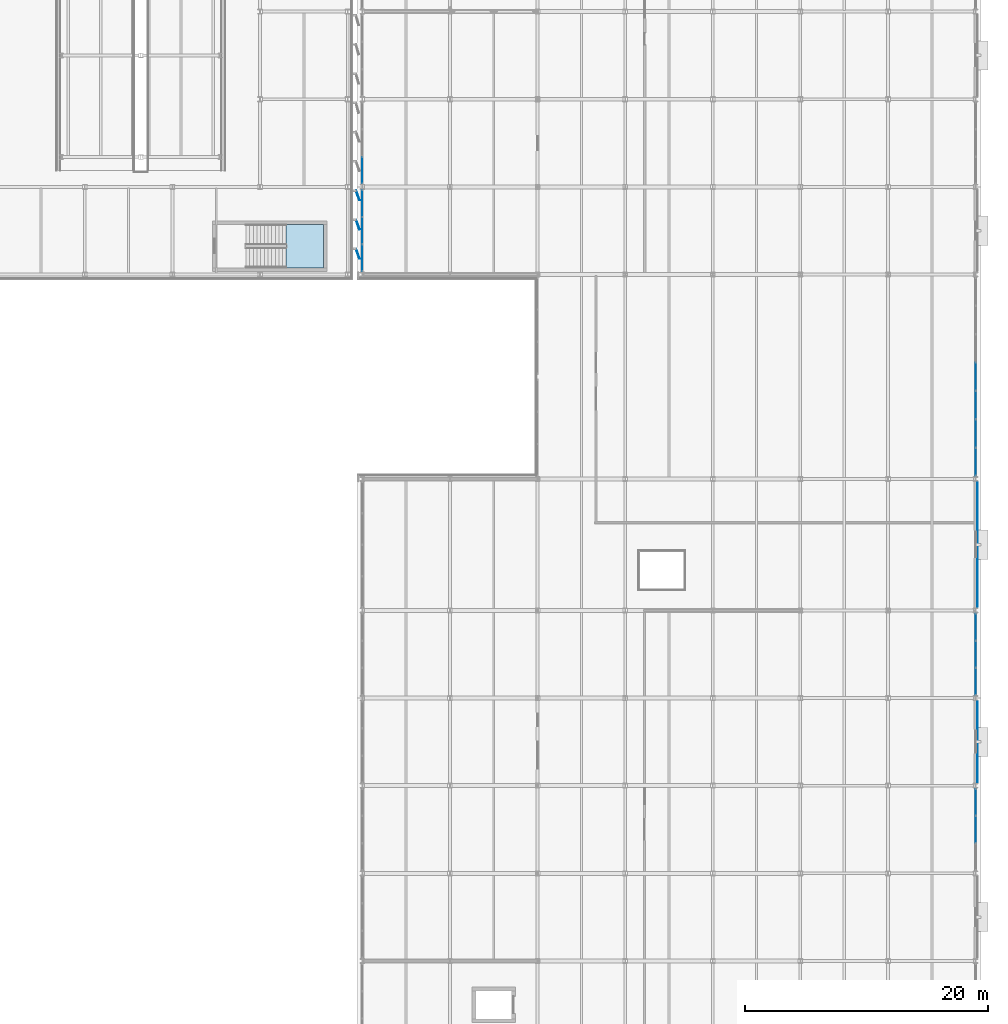
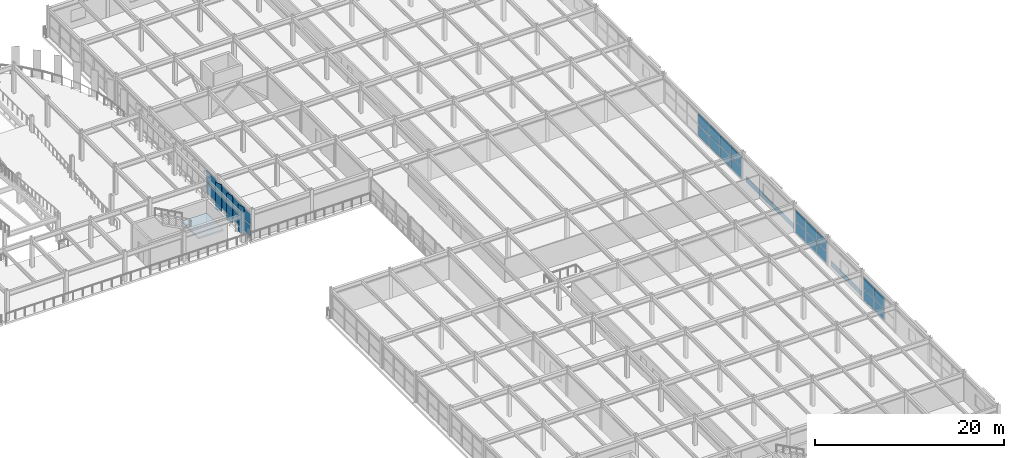
# One storey, part 57 of 93: 31 plates, 1 slab, 6 elements without a shape of their own.
"""IFC4 building model written with IfcOpenShell, lengths in metres."""

from ifc_helpers import new_model, si_unit, direction, frame, origin, origin_2d, place, context, subcontext, project, spatial, polyline, rectangle, outline, extrude, material, layer, layer_set, type_object, element, aggregate, save


model = new_model("IFC4")

# Units and contexts
model_context = context("Model", 3, precision=1e-05, world=origin(), true_north=direction((0.0, 1.0)))
body_context = subcontext(model_context, "Body", "Model", "MODEL_VIEW")
ifc_project = project(units=[si_unit("LENGTHUNIT", "METRE"), si_unit("AREAUNIT", "SQUARE_METRE"), si_unit("VOLUMEUNIT", "CUBIC_METRE"), si_unit("PLANEANGLEUNIT", "RADIAN"), si_unit("MASSUNIT", "GRAM", prefix="KILO")], contexts=[model_context])

# Site, building, storey
site_placement = place(None, origin())
site = spatial("IfcSite", under=ifc_project, at=site_placement, CompositionType="ELEMENT")
building_placement = place(site_placement, origin())
building = spatial("IfcBuilding", under=site, at=building_placement, Name="Vaelcorin Mobility Hub", CompositionType="ELEMENT")
storey_placement = place(building_placement, frame((0.0, 0.0, 5.39990234375)))
storey = spatial("IfcBuildingStorey", under=building, at=storey_placement, Name="L01", CompositionType="ELEMENT", Elevation=5.39990234375)

# Curtain wall, plates
ifc_material_1 = material(Name="Anodised aluminium 6063-T6", Category="aluminium")
curtain_wall_type = type_object("IfcCurtainWallType", Name="CW-MOB-A", PredefinedType="NOTDEFINED", material=ifc_material_1)
curtain_wall_1_placement = place(storey_placement, origin())
curtain_wall_1 = element("IfcCurtainWall", 1, at=curtain_wall_1_placement, inside=storey, type_object=curtain_wall_type, Name="L01 Curtain Wall CW-V5-L01-E-04", PredefinedType="NOTDEFINED")
ifc_material_2 = material(Name="Low-E solar-control insulated glazing", Category="glass")
ifc_layer_1 = layer(ifc_material_2, 0.028076171875)
ifc_layer_set_1 = layer_set([ifc_layer_1], Name="Low-E solar-control insulated glazing")
plate_type_1 = type_object("IfcPlateType", Name="CW-PAN-GLZ28", PredefinedType="CURTAIN_PANEL", material=ifc_layer_set_1)
plate_1_placement = place(storey_placement, frame((204.0, 33.438232421875, 0.06005859375), z_axis=(0.0, 0.0, 1.0), x_axis=(0.0, -1.0, 0.0)))
plate_1 = element("IfcPlate", 2, at=plate_1_placement, type_object=plate_type_1, Name="CW7 panel 1.1", PredefinedType="CURTAIN_PANEL", context=body_context, shape_type="SweptSolid", body=[
    extrude(rectangle(XDim=2.163330078125, YDim=0.028076171875, at=origin_2d()), origin(), (0.0, 0.0, 1.0), 1.431884765625),
])
plate_2_placement = place(storey_placement, frame((204.0, 33.438232421875, 1.55224609375), z_axis=(0.0, 0.0, 1.0), x_axis=(0.0, -1.0, 0.0)))
plate_2 = element("IfcPlate", 3, at=plate_2_placement, type_object=plate_type_1, Name="CW7 panel 1.2", PredefinedType="CURTAIN_PANEL", context=body_context, shape_type="SweptSolid", body=[
    extrude(rectangle(XDim=2.163330078125, YDim=0.028076171875, at=origin_2d()), origin(), (0.0, 0.0, 1.0), 1.430908203125),
])
plate_3_placement = place(storey_placement, frame((204.0, 31.199951171875, 0.06005859375), z_axis=(0.0, 0.0, 1.0), x_axis=(0.0, -1.0, 0.0)))
plate_3 = element("IfcPlate", 4, at=plate_3_placement, type_object=plate_type_1, Name="CW7 panel 2.1", PredefinedType="CURTAIN_PANEL", context=body_context, shape_type="SweptSolid", body=[
    extrude(rectangle(XDim=2.193359375, YDim=0.028076171875, at=origin_2d()), origin(), (0.0, 0.0, 1.0), 1.431884765625),
])
plate_4_placement = place(storey_placement, frame((204.0, 31.199951171875, 1.55224609375), z_axis=(0.0, 0.0, 1.0), x_axis=(0.0, -1.0, 0.0)))
plate_4 = element("IfcPlate", 5, at=plate_4_placement, type_object=plate_type_1, Name="CW7 panel 2.2", PredefinedType="CURTAIN_PANEL", context=body_context, shape_type="SweptSolid", body=[
    extrude(rectangle(XDim=2.193359375, YDim=0.028076171875, at=origin_2d()), origin(), (0.0, 0.0, 1.0), 1.430908203125),
])
aggregate(curtain_wall_1, [plate_1, plate_2, plate_3, plate_4])

curtain_wall_2_placement = place(storey_placement, origin())
curtain_wall_2 = element("IfcCurtainWall", 6, at=curtain_wall_2_placement, inside=storey, type_object=curtain_wall_type, Name="L01 Curtain Wall CW-V5-L01-E-06", PredefinedType="NOTDEFINED")
plate_5_placement = place(storey_placement, frame((204.0, 47.83837890625, 0.06005859375), z_axis=(0.0, 0.0, 1.0), x_axis=(0.0, -1.0, 0.0)))
plate_5 = element("IfcPlate", 7, at=plate_5_placement, type_object=plate_type_1, Name="CW7 panel 1.1", PredefinedType="CURTAIN_PANEL", context=body_context, shape_type="SweptSolid", body=[
    extrude(rectangle(XDim=2.163330078125, YDim=0.028076171875, at=origin_2d()), origin(), (0.0, 0.0, 1.0), 1.431884765625),
])
plate_6_placement = place(storey_placement, frame((204.0, 47.83837890625, 1.55224609375), z_axis=(0.0, 0.0, 1.0), x_axis=(0.0, -1.0, 0.0)))
plate_6 = element("IfcPlate", 8, at=plate_6_placement, type_object=plate_type_1, Name="CW7 panel 1.2", PredefinedType="CURTAIN_PANEL", context=body_context, shape_type="SweptSolid", body=[
    extrude(rectangle(XDim=2.163330078125, YDim=0.028076171875, at=origin_2d()), origin(), (0.0, 0.0, 1.0), 1.430908203125),
])
plate_7_placement = place(storey_placement, frame((204.0, 45.60009765625, 0.06005859375), z_axis=(0.0, 0.0, 1.0), x_axis=(0.0, -1.0, 0.0)))
plate_7 = element("IfcPlate", 9, at=plate_7_placement, type_object=plate_type_1, Name="CW7 panel 2.1", PredefinedType="CURTAIN_PANEL", context=body_context, shape_type="SweptSolid", body=[
    extrude(rectangle(XDim=2.193359375, YDim=0.028076171875, at=origin_2d()), origin(), (0.0, 0.0, 1.0), 1.431884765625),
])
plate_8_placement = place(storey_placement, frame((204.0, 45.60009765625, 1.55224609375), z_axis=(0.0, 0.0, 1.0), x_axis=(0.0, -1.0, 0.0)))
plate_8 = element("IfcPlate", 10, at=plate_8_placement, type_object=plate_type_1, Name="CW7 panel 2.2", PredefinedType="CURTAIN_PANEL", context=body_context, shape_type="SweptSolid", body=[
    extrude(rectangle(XDim=2.193359375, YDim=0.028076171875, at=origin_2d()), origin(), (0.0, 0.0, 1.0), 1.430908203125),
])
plate_9_placement = place(storey_placement, frame((204.0, 43.361572265625, 0.06005859375), z_axis=(0.0, 0.0, 1.0), x_axis=(0.0, -1.0, 0.0)))
plate_9 = element("IfcPlate", 11, at=plate_9_placement, type_object=plate_type_1, Name="CW7 panel 3.1", PredefinedType="CURTAIN_PANEL", context=body_context, shape_type="SweptSolid", body=[
    extrude(rectangle(XDim=2.163330078125, YDim=0.028076171875, at=origin_2d()), origin(), (0.0, 0.0, 1.0), 1.431884765625),
])
plate_10_placement = place(storey_placement, frame((204.0, 43.361572265625, 1.55224609375), z_axis=(0.0, 0.0, 1.0), x_axis=(0.0, -1.0, 0.0)))
plate_10 = element("IfcPlate", 12, at=plate_10_placement, type_object=plate_type_1, Name="CW7 panel 3.2", PredefinedType="CURTAIN_PANEL", context=body_context, shape_type="SweptSolid", body=[
    extrude(rectangle(XDim=2.163330078125, YDim=0.028076171875, at=origin_2d()), origin(), (0.0, 0.0, 1.0), 1.430908203125),
])
aggregate(curtain_wall_2, [plate_5, plate_6, plate_7, plate_8, plate_9, plate_10])

curtain_wall_3_placement = place(storey_placement, origin())
curtain_wall_3 = element("IfcCurtainWall", 13, at=curtain_wall_3_placement, inside=storey, type_object=curtain_wall_type, Name="L01 Curtain Wall CW-V5-L01-E-08", PredefinedType="NOTDEFINED")
plate_11_placement = place(storey_placement, frame((204.0, 68.39990234375, 0.06005859375), z_axis=(0.0, 0.0, 1.0), x_axis=(0.0, -1.0, 0.0)))
plate_11 = element("IfcPlate", 14, at=plate_11_placement, type_object=plate_type_1, Name="CW7 panel 4.1", PredefinedType="CURTAIN_PANEL", context=body_context, shape_type="SweptSolid", body=[
    extrude(rectangle(XDim=2.277099609375, YDim=0.028076171875, at=origin_2d()), origin(), (0.0, 0.0, 1.0), 1.431884765625),
])
plate_12_placement = place(storey_placement, frame((204.0, 68.39990234375, 1.55224609375), z_axis=(0.0, 0.0, 1.0), x_axis=(0.0, -1.0, 0.0)))
plate_12 = element("IfcPlate", 15, at=plate_12_placement, type_object=plate_type_1, Name="CW7 panel 4.2", PredefinedType="CURTAIN_PANEL", context=body_context, shape_type="SweptSolid", body=[
    extrude(rectangle(XDim=2.277099609375, YDim=0.028076171875, at=origin_2d()), origin(), (0.0, 0.0, 1.0), 1.430908203125),
])
plate_13_placement = place(storey_placement, frame((204.0, 66.062744140625, 0.06005859375), z_axis=(0.0, 0.0, 1.0), x_axis=(0.0, -1.0, 0.0)))
plate_13 = element("IfcPlate", 16, at=plate_13_placement, type_object=plate_type_1, Name="CW7 panel 5.1", PredefinedType="CURTAIN_PANEL", context=body_context, shape_type="SweptSolid", body=[
    extrude(rectangle(XDim=2.277099609375, YDim=0.028076171875, at=origin_2d()), origin(), (0.0, 0.0, 1.0), 1.431884765625),
])
plate_14_placement = place(storey_placement, frame((204.0, 66.062744140625, 1.55224609375), z_axis=(0.0, 0.0, 1.0), x_axis=(0.0, -1.0, 0.0)))
plate_14 = element("IfcPlate", 17, at=plate_14_placement, type_object=plate_type_1, Name="CW7 panel 5.2", PredefinedType="CURTAIN_PANEL", context=body_context, shape_type="SweptSolid", body=[
    extrude(rectangle(XDim=2.277099609375, YDim=0.028076171875, at=origin_2d()), origin(), (0.0, 0.0, 1.0), 1.430908203125),
])
plate_15_placement = place(storey_placement, frame((204.0, 63.725830078125, 0.06005859375), z_axis=(0.0, 0.0, 1.0), x_axis=(0.0, -1.0, 0.0)))
plate_15 = element("IfcPlate", 18, at=plate_15_placement, type_object=plate_type_1, Name="CW7 panel 6.1", PredefinedType="CURTAIN_PANEL", context=body_context, shape_type="SweptSolid", body=[
    extrude(rectangle(XDim=2.277099609375, YDim=0.028076171875, at=origin_2d()), origin(), (0.0, 0.0, 1.0), 1.431884765625),
])
plate_16_placement = place(storey_placement, frame((204.0, 63.725830078125, 1.55224609375), z_axis=(0.0, 0.0, 1.0), x_axis=(0.0, -1.0, 0.0)))
plate_16 = element("IfcPlate", 19, at=plate_16_placement, type_object=plate_type_1, Name="CW7 panel 6.2", PredefinedType="CURTAIN_PANEL", context=body_context, shape_type="SweptSolid", body=[
    extrude(rectangle(XDim=2.277099609375, YDim=0.028076171875, at=origin_2d()), origin(), (0.0, 0.0, 1.0), 1.430908203125),
])
plate_17_placement = place(storey_placement, frame((204.0, 61.403564453125, 0.06005859375), z_axis=(0.0, 0.0, 1.0), x_axis=(0.0, -1.0, 0.0)))
plate_17 = element("IfcPlate", 20, at=plate_17_placement, type_object=plate_type_1, Name="CW7 panel 7.1", PredefinedType="CURTAIN_PANEL", context=body_context, shape_type="SweptSolid", body=[
    extrude(rectangle(XDim=2.2470703125, YDim=0.028076171875, at=origin_2d()), origin(), (0.0, 0.0, 1.0), 1.431884765625),
])
plate_18_placement = place(storey_placement, frame((204.0, 61.403564453125, 1.55224609375), z_axis=(0.0, 0.0, 1.0), x_axis=(0.0, -1.0, 0.0)))
plate_18 = element("IfcPlate", 21, at=plate_18_placement, type_object=plate_type_1, Name="CW7 panel 7.2", PredefinedType="CURTAIN_PANEL", context=body_context, shape_type="SweptSolid", body=[
    extrude(rectangle(XDim=2.2470703125, YDim=0.028076171875, at=origin_2d()), origin(), (0.0, 0.0, 1.0), 1.430908203125),
])
aggregate(curtain_wall_3, [plate_11, plate_12, plate_13, plate_14, plate_15, plate_16, plate_17, plate_18])

curtain_wall_4_placement = place(storey_placement, origin())
curtain_wall_4 = element("IfcCurtainWall", 22, at=curtain_wall_4_placement, inside=storey, type_object=curtain_wall_type, Name="L01 Curtain Wall CW-V5-L01-WN-01", PredefinedType="NOTDEFINED")
plate_19_placement = place(storey_placement, frame((153.60009765625, 78.16162109375, 0.06005859375), z_axis=(0.0, 0.0, 1.0), x_axis=(0.0, 1.0, 0.0)))
plate_19 = element("IfcPlate", 23, at=plate_19_placement, type_object=plate_type_1, Name="CW7 panel 1.1", PredefinedType="CURTAIN_PANEL", context=body_context, shape_type="SweptSolid", body=[
    extrude(rectangle(XDim=2.163330078125, YDim=0.028076171875, at=origin_2d()), origin(), (0.0, 0.0, 1.0), 1.431884765625),
])
plate_20_placement = place(storey_placement, frame((153.60009765625, 78.16162109375, 1.55224609375), z_axis=(0.0, 0.0, 1.0), x_axis=(0.0, 1.0, 0.0)))
plate_20 = element("IfcPlate", 24, at=plate_20_placement, type_object=plate_type_1, Name="CW7 panel 1.2", PredefinedType="CURTAIN_PANEL", context=body_context, shape_type="SweptSolid", body=[
    extrude(rectangle(XDim=2.163330078125, YDim=0.028076171875, at=origin_2d()), origin(), (0.0, 0.0, 1.0), 1.430908203125),
])
plate_21_placement = place(storey_placement, frame((153.60009765625, 80.39990234375, 0.06005859375), z_axis=(0.0, 0.0, 1.0), x_axis=(0.0, 1.0, 0.0)))
plate_21 = element("IfcPlate", 25, at=plate_21_placement, type_object=plate_type_1, Name="CW7 panel 2.1", PredefinedType="CURTAIN_PANEL", context=body_context, shape_type="SweptSolid", body=[
    extrude(rectangle(XDim=2.193359375, YDim=0.028076171875, at=origin_2d()), origin(), (0.0, 0.0, 1.0), 1.431884765625),
])
plate_22_placement = place(storey_placement, frame((153.60009765625, 80.39990234375, 1.55224609375), z_axis=(0.0, 0.0, 1.0), x_axis=(0.0, 1.0, 0.0)))
plate_22 = element("IfcPlate", 26, at=plate_22_placement, type_object=plate_type_1, Name="CW7 panel 2.2", PredefinedType="CURTAIN_PANEL", context=body_context, shape_type="SweptSolid", body=[
    extrude(rectangle(XDim=2.193359375, YDim=0.028076171875, at=origin_2d()), origin(), (0.0, 0.0, 1.0), 1.430908203125),
])
plate_23_placement = place(storey_placement, frame((153.60009765625, 82.638427734375, 0.06005859375), z_axis=(0.0, 0.0, 1.0), x_axis=(0.0, 1.0, 0.0)))
plate_23 = element("IfcPlate", 27, at=plate_23_placement, type_object=plate_type_1, Name="CW7 panel 3.1", PredefinedType="CURTAIN_PANEL", context=body_context, shape_type="SweptSolid", body=[
    extrude(rectangle(XDim=2.163330078125, YDim=0.028076171875, at=origin_2d()), origin(), (0.0, 0.0, 1.0), 1.431884765625),
])
plate_24_placement = place(storey_placement, frame((153.60009765625, 82.638427734375, 1.55224609375), z_axis=(0.0, 0.0, 1.0), x_axis=(0.0, 1.0, 0.0)))
plate_24 = element("IfcPlate", 28, at=plate_24_placement, type_object=plate_type_1, Name="CW7 panel 3.2", PredefinedType="CURTAIN_PANEL", context=body_context, shape_type="SweptSolid", body=[
    extrude(rectangle(XDim=2.163330078125, YDim=0.028076171875, at=origin_2d()), origin(), (0.0, 0.0, 1.0), 1.430908203125),
])
aggregate(curtain_wall_4, [plate_19, plate_20, plate_21, plate_22, plate_23, plate_24])

curtain_wall_5_placement = place(storey_placement, origin())
curtain_wall_5 = element("IfcCurtainWall", 29, at=curtain_wall_5_placement, inside=storey, type_object=curtain_wall_type, Name="L01 Curtain Wall CW-V5-L01-WN-02", PredefinedType="NOTDEFINED")
plate_25_placement = place(storey_placement, frame((153.60009765625, 85.361572265625, 0.06005859375), z_axis=(0.0, 0.0, 1.0), x_axis=(0.0, 1.0, 0.0)))
plate_25 = element("IfcPlate", 30, at=plate_25_placement, type_object=plate_type_1, Name="CW7 panel 1.1", PredefinedType="CURTAIN_PANEL", context=body_context, shape_type="SweptSolid", body=[
    extrude(rectangle(XDim=2.163330078125, YDim=0.028076171875, at=origin_2d()), origin(), (0.0, 0.0, 1.0), 1.431884765625),
])
plate_26_placement = place(storey_placement, frame((153.60009765625, 85.361572265625, 1.55224609375), z_axis=(0.0, 0.0, 1.0), x_axis=(0.0, 1.0, 0.0)))
plate_26 = element("IfcPlate", 31, at=plate_26_placement, type_object=plate_type_1, Name="CW7 panel 1.2", PredefinedType="CURTAIN_PANEL", context=body_context, shape_type="SweptSolid", body=[
    extrude(rectangle(XDim=2.163330078125, YDim=0.028076171875, at=origin_2d()), origin(), (0.0, 0.0, 1.0), 1.430908203125),
])
aggregate(curtain_wall_5, [plate_25, plate_26])

# Plates
ifc_material_3 = material(Name="Extruded terracotta-bronze rainscreen panel", Category="masonry")
ifc_layer_2 = layer(ifc_material_3, 0.01806640625)
ifc_layer_set_2 = layer_set([ifc_layer_2], Name="Extruded terracotta-bronze rainscreen panel")
plate_type_2 = type_object("IfcPlateType", Name="PL-CLAD-18", PredefinedType="SHEET", material=ifc_layer_set_2)
plate_27_placement = place(storey_placement, frame((204.138916015625, 38.39990234375, 0.05029296875), z_axis=(0.0, 0.0, 1.0), x_axis=(1.0, 0.0, 0.0)))
element("IfcPlate", 32, at=plate_27_placement, inside=storey, type_object=plate_type_2, Name="Terracotta-Bronze Rainscreen Spandrel L01-05", PredefinedType="SHEET", context=body_context, shape_type="SweptSolid", body=[
    extrude(rectangle(XDim=0.01806640625, YDim=6.60009765625, at=origin_2d()), origin(), (0.0, 0.0, 1.0), 0.699951171875),
])
ifc_layer_3 = layer(ifc_material_3, 0.02197265625)
ifc_layer_set_3 = layer_set([ifc_layer_3], Name="Extruded terracotta-bronze rainscreen panel")
plate_type_3 = type_object("IfcPlateType", Name="PL-CLAD-22", PredefinedType="SHEET", material=ifc_layer_set_3)
plate_28_placement = place(storey_placement, frame((204.14111328125, 54.60009765625, 0.05029296875), z_axis=(0.0, 0.0, 1.0), x_axis=(1.0, 0.0, 0.0)))
element("IfcPlate", 33, at=plate_28_placement, inside=storey, type_object=plate_type_3, Name="Terracotta-Bronze Rainscreen Spandrel L01-07", PredefinedType="SHEET", context=body_context, shape_type="SweptSolid", body=[
    extrude(rectangle(XDim=0.02197265625, YDim=10.199951171875, at=origin_2d()), origin(), (0.0, 0.0, 1.0), 0.699951171875),
])
ifc_material_4 = material(Name="Perforated terracotta-bronze aluminium aerofoil", Category="masonry")
ifc_layer_4 = layer(ifc_material_4, 0.070068359375)
ifc_layer_set_4 = layer_set([ifc_layer_4], Name="Perforated terracotta-bronze aluminium aerofoil")
plate_type_4 = type_object("IfcPlateType", Name="PL-FIN-AF3", PredefinedType="SHEET", material=ifc_layer_set_4)
for number, where, z_axis, x_axis, name in (
    (34, (153.235107421875, 83.301025390625, -0.159912109375), (0.0, 0.0, 1.0), (0.342020143326, -0.939692620786, 0.0), "Rotating Terracotta-Bronze Aerofoil Fin FIN-V2E-L01-E-AF-08"),
    (35, (153.235107421875, 80.90087890625, -0.159912109375), (0.0, 0.0, 1.0), (0.342020143326, -0.939692620786, 0.0), "Rotating Terracotta-Bronze Aerofoil Fin FIN-V2E-L01-E-AF-09"),
    (36, (153.235107421875, 78.5009765625, -0.159912109375), (0.0, 0.0, 1.0), (0.342020143326, -0.939692620786, 0.0), "Rotating Terracotta-Bronze Aerofoil Fin FIN-V2E-L01-E-AF-10"),
):
    element("IfcPlate", number, at=place(storey_placement, frame(where, z_axis=z_axis, x_axis=x_axis)), inside=storey, type_object=plate_type_4, Name=name, PredefinedType="SHEET", context=body_context, shape_type="SweptSolid", body=[
        extrude(rectangle(XDim=0.85009765625, YDim=0.070068359375, at=origin_2d()), origin(), (0.0, 0.0, 1.0), 3.5),
    ])

# Stair, slab
ifc_material_5 = material(Name="Reinforced concrete f'c 45 MPa", Category="concrete")
stair_type = type_object("IfcStairType", Name="STAIR-ST2", PredefinedType="HALF_TURN_STAIR", material=ifc_material_5)
stair_placement = place(storey_placement, origin())
stair = element("IfcStair", 37, at=stair_placement, inside=storey, type_object=stair_type, Name="L01 Protected Exit Stair ST2", PredefinedType="HALF_TURN_STAIR")
ifc_layer_5 = layer(ifc_material_5, 0.199951171875)
ifc_layer_set_5 = layer_set([ifc_layer_5], Name="Reinforced concrete f'c 45 MPa")
slab_type = type_object("IfcSlabType", Name="SLAB-LND-200", PredefinedType="LANDING", material=ifc_layer_set_5)
slab_placement = place(storey_placement, frame((0.0, 0.0, 1.75)))
slab = element("IfcSlab", 38, at=slab_placement, type_object=slab_type, Name="ST2 landing 1", PredefinedType="LANDING", context=body_context, shape_type="SweptSolid", body=[
    extrude(outline(polyline([(147.35009765625, 77.35009765625), (150.39990234375, 77.35009765625), (150.39990234375, 80.909912109375), (147.35009765625, 80.909912109375), (147.35009765625, 77.35009765625)])), origin(), (0.0, 0.0, 1.0), 0.2001953125),
])
aggregate(stair, [slab])

save(model, "model.ifc")
